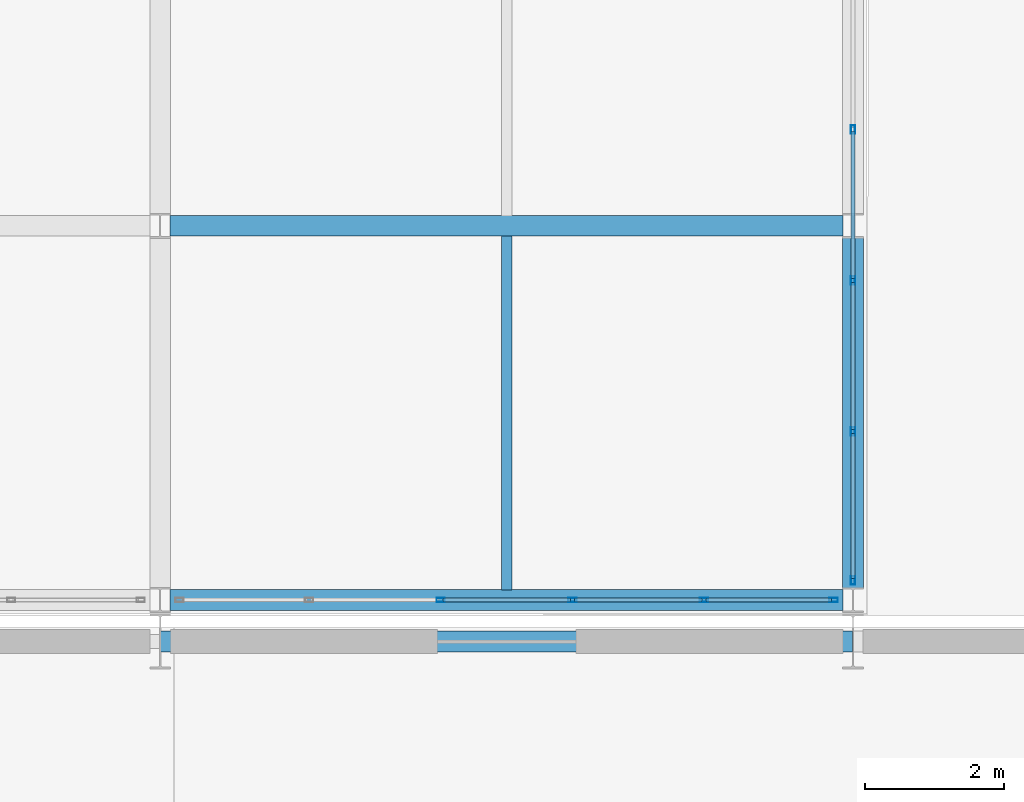
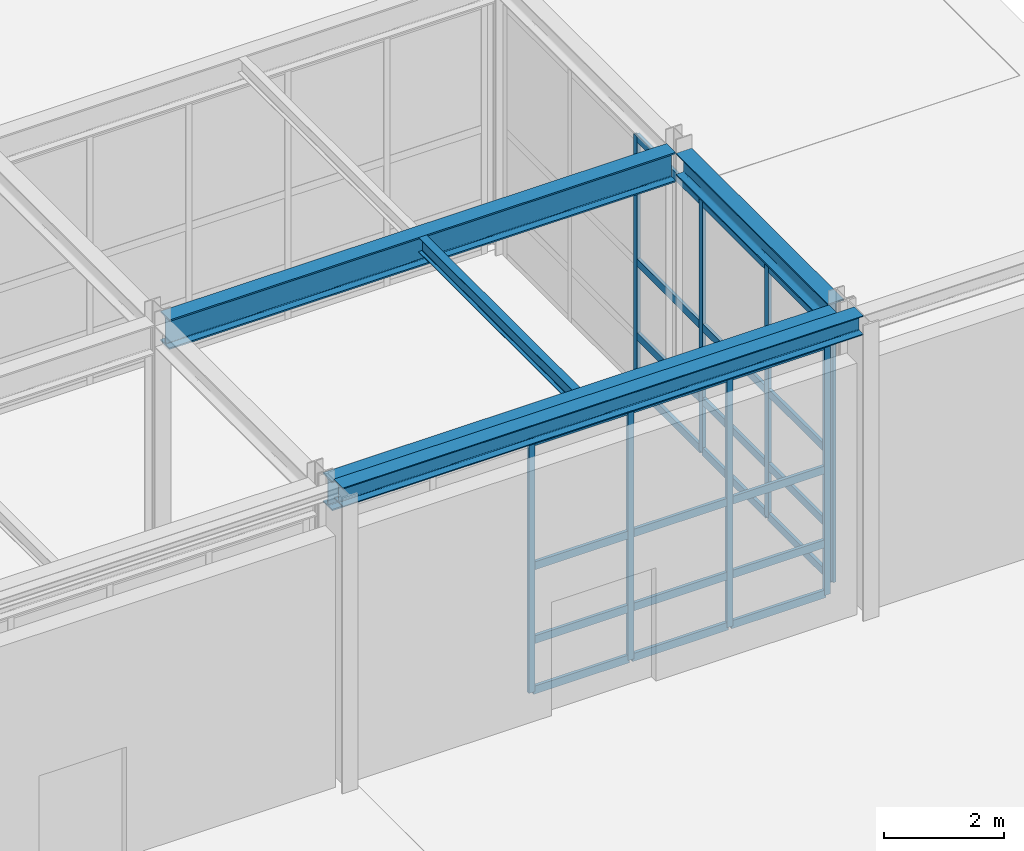
# One storey, part 95 of 146: 32 members, 5 beams, 2 elements without a shape of their own.
"""IFC4 building model written with IfcOpenShell, lengths in metres."""

from ifc_helpers import new_model, si_unit, direction, frame, origin, origin_2d, place, context, subcontext, project, spatial, hollow_rectangle, i_section, extrude, material, material_profile, profile_set, type_object, element, aggregate, save


model = new_model("IFC4")

# Units and contexts
model_context = context("Model", 3, precision=1e-05, world=origin(), true_north=direction((0.0, 1.0)))
body_context = subcontext(model_context, "Body", "Model", "MODEL_VIEW")
ifc_project = project(units=[si_unit("LENGTHUNIT", "METRE"), si_unit("AREAUNIT", "SQUARE_METRE"), si_unit("VOLUMEUNIT", "CUBIC_METRE"), si_unit("PLANEANGLEUNIT", "RADIAN"), si_unit("MASSUNIT", "GRAM", prefix="KILO")], contexts=[model_context])

# Site, building, storey
site_placement = place(None, origin())
site = spatial("IfcSite", under=ifc_project, at=site_placement, CompositionType="ELEMENT")
building_placement = place(site_placement, origin())
building = spatial("IfcBuilding", under=site, at=building_placement, Name="Kaldris Quays Convention Centre", CompositionType="ELEMENT")
storey_placement = place(building_placement, origin())
storey = spatial("IfcBuildingStorey", under=building, at=storey_placement, Name="L00", CompositionType="ELEMENT", Elevation=0.0)

# Curtain wall, members
ifc_material_1 = material(Name="Anodized aluminium AW-6060 and triple glazing", Category="aluminium")
curtain_wall_type = type_object("IfcCurtainWallType", Name="UNITISED CURTAIN WALL CW06", PredefinedType="NOTDEFINED", material=ifc_material_1)
curtain_wall_1_placement = place(storey_placement, origin())
curtain_wall_1 = element("IfcCurtainWall", 1, at=curtain_wall_1_placement, inside=storey, type_object=curtain_wall_type, Name="L00 Unitised Curtain Wall CW06 157", PredefinedType="NOTDEFINED")
ifc_material_2 = material(Name="Anodized aluminium AW-6060", Category="aluminium")
ifc_material_profile_1 = material_profile(ifc_material_2, hollow_rectangle(XDim=0.06005859375, YDim=0.1201171875, WallThickness=0.00390625, at=origin_2d()), Name="RHS 120x60x4")
ifc_profile_set_1 = profile_set([ifc_material_profile_1], Name="Anodized aluminium AW-6060")
member_type_1 = type_object("IfcMemberType", Name="CURTAIN MULLION CWM3", PredefinedType="MULLION", material=ifc_profile_set_1)
member_1_placement = place(storey_placement, frame((188.050048828125, 104.60009765625, 0.0), z_axis=(0.0, 0.0, 1.0), x_axis=(0.0, 1.0, 0.0)))
member_1 = element("IfcMember", 2, at=member_1_placement, type_object=member_type_1, Name="CW06 mullion 3", PredefinedType="MULLION", context=body_context, shape_type="SweptSolid", body=[
    extrude(hollow_rectangle(XDim=0.06005859375, YDim=0.1201171875, WallThickness=0.00390625, at=origin_2d()), origin(), (0.0, 0.0, 1.0), 5.097900390625),
])
member_2_placement = place(storey_placement, frame((189.949951171875, 104.60009765625, 0.0), z_axis=(0.0, 0.0, 1.0), x_axis=(0.0, 1.0, 0.0)))
member_2 = element("IfcMember", 3, at=member_2_placement, type_object=member_type_1, Name="CW06 mullion 4", PredefinedType="MULLION", context=body_context, shape_type="SweptSolid", body=[
    extrude(hollow_rectangle(XDim=0.06005859375, YDim=0.1201171875, WallThickness=0.00390625, at=origin_2d()), origin(), (0.0, 0.0, 1.0), 5.097900390625),
])
member_3_placement = place(storey_placement, frame((191.85009765625, 104.60009765625, 0.0), z_axis=(0.0, 0.0, 1.0), x_axis=(0.0, 1.0, 0.0)))
member_3 = element("IfcMember", 4, at=member_3_placement, type_object=member_type_1, Name="CW06 mullion 5", PredefinedType="MULLION", context=body_context, shape_type="SweptSolid", body=[
    extrude(hollow_rectangle(XDim=0.06005859375, YDim=0.1201171875, WallThickness=0.00390625, at=origin_2d()), origin(), (0.0, 0.0, 1.0), 5.097900390625),
])
member_4_placement = place(storey_placement, frame((193.719970703125, 104.60009765625, 0.0), z_axis=(0.0, 0.0, 1.0), x_axis=(0.0, 1.0, 0.0)))
member_4 = element("IfcMember", 5, at=member_4_placement, type_object=member_type_1, Name="CW06 mullion 6", PredefinedType="MULLION", context=body_context, shape_type="SweptSolid", body=[
    extrude(hollow_rectangle(XDim=0.06005859375, YDim=0.1201171875, WallThickness=0.00390625, at=origin_2d()), origin(), (0.0, 0.0, 1.0), 5.097900390625),
])

curtain_wall_2_placement = place(storey_placement, origin())
curtain_wall_2 = element("IfcCurtainWall", 6, at=curtain_wall_2_placement, inside=storey, type_object=curtain_wall_type, Name="L00 Unitised Curtain Wall CW06 158", PredefinedType="NOTDEFINED")
member_5_placement = place(storey_placement, frame((194.0, 104.8798828125, 0.0), z_axis=(0.0, 0.0, 1.0), x_axis=(-1.0, 0.0, 0.0)))
member_5 = element("IfcMember", 7, at=member_5_placement, type_object=member_type_1, Name="CW06 mullion 1", PredefinedType="MULLION", context=body_context, shape_type="SweptSolid", body=[
    extrude(hollow_rectangle(XDim=0.06005859375, YDim=0.1201171875, WallThickness=0.00390625, at=origin_2d()), origin(), (0.0, 0.0, 1.0), 5.097900390625),
])
member_6_placement = place(storey_placement, frame((194.0, 107.030029296875, 0.0), z_axis=(0.0, 0.0, 1.0), x_axis=(-1.0, 0.0, 0.0)))
member_6 = element("IfcMember", 8, at=member_6_placement, type_object=member_type_1, Name="CW06 mullion 2", PredefinedType="MULLION", context=body_context, shape_type="SweptSolid", body=[
    extrude(hollow_rectangle(XDim=0.06005859375, YDim=0.1201171875, WallThickness=0.00390625, at=origin_2d()), origin(), (0.0, 0.0, 1.0), 5.097900390625),
])
member_7_placement = place(storey_placement, frame((194.0, 109.2099609375, 0.0), z_axis=(0.0, 0.0, 1.0), x_axis=(-1.0, 0.0, 0.0)))
member_7 = element("IfcMember", 9, at=member_7_placement, type_object=member_type_1, Name="CW06 mullion 3", PredefinedType="MULLION", context=body_context, shape_type="SweptSolid", body=[
    extrude(hollow_rectangle(XDim=0.06005859375, YDim=0.1201171875, WallThickness=0.00390625, at=origin_2d()), origin(), (0.0, 0.0, 1.0), 5.097900390625),
])
member_8_placement = place(storey_placement, frame((194.0, 111.389892578125, 0.0), z_axis=(0.0, 0.0, 1.0), x_axis=(-1.0, 0.0, 0.0)))
member_8 = element("IfcMember", 10, at=member_8_placement, type_object=member_type_1, Name="CW06 mullion 4", PredefinedType="MULLION", context=body_context, shape_type="SweptSolid", body=[
    extrude(hollow_rectangle(XDim=0.06005859375, YDim=0.1201171875, WallThickness=0.00390625, at=origin_2d()), origin(), (0.0, 0.0, 1.0), 5.097900390625),
])

# Member
ifc_material_profile_2 = material_profile(ifc_material_2, hollow_rectangle(XDim=0.06005859375, YDim=0.159912109375, WallThickness=0.00390625, at=origin_2d()), Name="RHS 160x60x4")
ifc_profile_set_2 = profile_set([ifc_material_profile_2], Name="Anodized aluminium AW-6060")
member_type_2 = type_object("IfcMemberType", Name="CURTAIN TRANSOM CWT2", PredefinedType="USERDEFINED", material=ifc_profile_set_2)
member_9_placement = place(storey_placement, frame((188.080078125, 104.60009765625, 0.030029296875), z_axis=(1.0, 0.0, 0.0), x_axis=(0.0, 1.0, 0.0)))
member_9 = element("IfcMember", 11, at=member_9_placement, type_object=member_type_2, Name="CW06 transom 3.1", ObjectType="TRANSOM", PredefinedType="USERDEFINED", context=body_context, shape_type="SweptSolid", body=[
    extrude(hollow_rectangle(XDim=0.06005859375, YDim=0.159912109375, WallThickness=0.00390625, at=origin_2d()), origin(), (0.0, 0.0, 1.0), 1.83984375),
])

member_10_placement = place(storey_placement, frame((188.080078125, 104.60009765625, 1.050048828125), z_axis=(1.0, 0.0, 0.0), x_axis=(0.0, 1.0, 0.0)))
member_10 = element("IfcMember", 12, at=member_10_placement, type_object=member_type_2, Name="CW06 transom 3.2", ObjectType="TRANSOM", PredefinedType="USERDEFINED", context=body_context, shape_type="SweptSolid", body=[
    extrude(hollow_rectangle(XDim=0.06005859375, YDim=0.159912109375, WallThickness=0.00390625, at=origin_2d()), origin(), (0.0, 0.0, 1.0), 1.83984375),
])

member_11_placement = place(storey_placement, frame((188.080078125, 104.60009765625, 2.549072265625), z_axis=(1.0, 0.0, 0.0), x_axis=(0.0, 1.0, 0.0)))
member_11 = element("IfcMember", 13, at=member_11_placement, type_object=member_type_2, Name="CW06 transom 3.3", ObjectType="TRANSOM", PredefinedType="USERDEFINED", context=body_context, shape_type="SweptSolid", body=[
    extrude(hollow_rectangle(XDim=0.06005859375, YDim=0.159912109375, WallThickness=0.00390625, at=origin_2d()), origin(), (0.0, 0.0, 1.0), 1.83984375),
])

member_12_placement = place(storey_placement, frame((188.080078125, 104.60009765625, 5.068115234375), z_axis=(1.0, 0.0, 0.0), x_axis=(0.0, 1.0, 0.0)))
member_12 = element("IfcMember", 14, at=member_12_placement, type_object=member_type_2, Name="CW06 transom 3.4", ObjectType="TRANSOM", PredefinedType="USERDEFINED", context=body_context, shape_type="SweptSolid", body=[
    extrude(hollow_rectangle(XDim=0.06005859375, YDim=0.159912109375, WallThickness=0.00390625, at=origin_2d()), origin(), (0.0, 0.0, 1.0), 1.83984375),
])

member_13_placement = place(storey_placement, frame((189.97998046875, 104.60009765625, 0.030029296875), z_axis=(1.0, 0.0, 0.0), x_axis=(0.0, 1.0, 0.0)))
member_13 = element("IfcMember", 15, at=member_13_placement, type_object=member_type_2, Name="CW06 transom 4.1", ObjectType="TRANSOM", PredefinedType="USERDEFINED", context=body_context, shape_type="SweptSolid", body=[
    extrude(hollow_rectangle(XDim=0.06005859375, YDim=0.159912109375, WallThickness=0.00390625, at=origin_2d()), origin(), (0.0, 0.0, 1.0), 1.840087890625),
])

member_14_placement = place(storey_placement, frame((189.97998046875, 104.60009765625, 1.050048828125), z_axis=(1.0, 0.0, 0.0), x_axis=(0.0, 1.0, 0.0)))
member_14 = element("IfcMember", 16, at=member_14_placement, type_object=member_type_2, Name="CW06 transom 4.2", ObjectType="TRANSOM", PredefinedType="USERDEFINED", context=body_context, shape_type="SweptSolid", body=[
    extrude(hollow_rectangle(XDim=0.06005859375, YDim=0.159912109375, WallThickness=0.00390625, at=origin_2d()), origin(), (0.0, 0.0, 1.0), 1.840087890625),
])

member_15_placement = place(storey_placement, frame((189.97998046875, 104.60009765625, 2.549072265625), z_axis=(1.0, 0.0, 0.0), x_axis=(0.0, 1.0, 0.0)))
member_15 = element("IfcMember", 17, at=member_15_placement, type_object=member_type_2, Name="CW06 transom 4.3", ObjectType="TRANSOM", PredefinedType="USERDEFINED", context=body_context, shape_type="SweptSolid", body=[
    extrude(hollow_rectangle(XDim=0.06005859375, YDim=0.159912109375, WallThickness=0.00390625, at=origin_2d()), origin(), (0.0, 0.0, 1.0), 1.840087890625),
])

member_16_placement = place(storey_placement, frame((189.97998046875, 104.60009765625, 5.068115234375), z_axis=(1.0, 0.0, 0.0), x_axis=(0.0, 1.0, 0.0)))
member_16 = element("IfcMember", 18, at=member_16_placement, type_object=member_type_2, Name="CW06 transom 4.4", ObjectType="TRANSOM", PredefinedType="USERDEFINED", context=body_context, shape_type="SweptSolid", body=[
    extrude(hollow_rectangle(XDim=0.06005859375, YDim=0.159912109375, WallThickness=0.00390625, at=origin_2d()), origin(), (0.0, 0.0, 1.0), 1.840087890625),
])

member_17_placement = place(storey_placement, frame((191.8798828125, 104.60009765625, 0.030029296875), z_axis=(1.0, 0.0, 0.0), x_axis=(0.0, 1.0, 0.0)))
member_17 = element("IfcMember", 19, at=member_17_placement, type_object=member_type_2, Name="CW06 transom 5.1", ObjectType="TRANSOM", PredefinedType="USERDEFINED", context=body_context, shape_type="SweptSolid", body=[
    extrude(hollow_rectangle(XDim=0.06005859375, YDim=0.159912109375, WallThickness=0.00390625, at=origin_2d()), origin(), (0.0, 0.0, 1.0), 1.81005859375),
])

member_18_placement = place(storey_placement, frame((191.8798828125, 104.60009765625, 1.050048828125), z_axis=(1.0, 0.0, 0.0), x_axis=(0.0, 1.0, 0.0)))
member_18 = element("IfcMember", 20, at=member_18_placement, type_object=member_type_2, Name="CW06 transom 5.2", ObjectType="TRANSOM", PredefinedType="USERDEFINED", context=body_context, shape_type="SweptSolid", body=[
    extrude(hollow_rectangle(XDim=0.06005859375, YDim=0.159912109375, WallThickness=0.00390625, at=origin_2d()), origin(), (0.0, 0.0, 1.0), 1.81005859375),
])

member_19_placement = place(storey_placement, frame((191.8798828125, 104.60009765625, 2.549072265625), z_axis=(1.0, 0.0, 0.0), x_axis=(0.0, 1.0, 0.0)))
member_19 = element("IfcMember", 21, at=member_19_placement, type_object=member_type_2, Name="CW06 transom 5.3", ObjectType="TRANSOM", PredefinedType="USERDEFINED", context=body_context, shape_type="SweptSolid", body=[
    extrude(hollow_rectangle(XDim=0.06005859375, YDim=0.159912109375, WallThickness=0.00390625, at=origin_2d()), origin(), (0.0, 0.0, 1.0), 1.81005859375),
])

member_20_placement = place(storey_placement, frame((191.8798828125, 104.60009765625, 5.068115234375), z_axis=(1.0, 0.0, 0.0), x_axis=(0.0, 1.0, 0.0)))
member_20 = element("IfcMember", 22, at=member_20_placement, type_object=member_type_2, Name="CW06 transom 5.4", ObjectType="TRANSOM", PredefinedType="USERDEFINED", context=body_context, shape_type="SweptSolid", body=[
    extrude(hollow_rectangle(XDim=0.06005859375, YDim=0.159912109375, WallThickness=0.00390625, at=origin_2d()), origin(), (0.0, 0.0, 1.0), 1.81005859375),
])

aggregate(curtain_wall_1, [member_1, member_2, member_3, member_4, member_9, member_10, member_11, member_12, member_13, member_14, member_15, member_16, member_17, member_18, member_19, member_20])

member_21_placement = place(storey_placement, frame((194.0, 104.909912109375, 0.030029296875), z_axis=(0.0, 1.0, 0.0), x_axis=(-1.0, 0.0, 0.0)))
member_21 = element("IfcMember", 23, at=member_21_placement, type_object=member_type_2, Name="CW06 transom 1.1", ObjectType="TRANSOM", PredefinedType="USERDEFINED", context=body_context, shape_type="SweptSolid", body=[
    extrude(hollow_rectangle(XDim=0.06005859375, YDim=0.159912109375, WallThickness=0.00390625, at=origin_2d()), origin(), (0.0, 0.0, 1.0), 2.090087890625),
])

member_22_placement = place(storey_placement, frame((194.0, 104.909912109375, 1.050048828125), z_axis=(0.0, 1.0, 0.0), x_axis=(-1.0, 0.0, 0.0)))
member_22 = element("IfcMember", 24, at=member_22_placement, type_object=member_type_2, Name="CW06 transom 1.2", ObjectType="TRANSOM", PredefinedType="USERDEFINED", context=body_context, shape_type="SweptSolid", body=[
    extrude(hollow_rectangle(XDim=0.06005859375, YDim=0.159912109375, WallThickness=0.00390625, at=origin_2d()), origin(), (0.0, 0.0, 1.0), 2.090087890625),
])

member_23_placement = place(storey_placement, frame((194.0, 104.909912109375, 2.549072265625), z_axis=(0.0, 1.0, 0.0), x_axis=(-1.0, 0.0, 0.0)))
member_23 = element("IfcMember", 25, at=member_23_placement, type_object=member_type_2, Name="CW06 transom 1.3", ObjectType="TRANSOM", PredefinedType="USERDEFINED", context=body_context, shape_type="SweptSolid", body=[
    extrude(hollow_rectangle(XDim=0.06005859375, YDim=0.159912109375, WallThickness=0.00390625, at=origin_2d()), origin(), (0.0, 0.0, 1.0), 2.090087890625),
])

member_24_placement = place(storey_placement, frame((194.0, 104.909912109375, 5.068115234375), z_axis=(0.0, 1.0, 0.0), x_axis=(-1.0, 0.0, 0.0)))
member_24 = element("IfcMember", 26, at=member_24_placement, type_object=member_type_2, Name="CW06 transom 1.4", ObjectType="TRANSOM", PredefinedType="USERDEFINED", context=body_context, shape_type="SweptSolid", body=[
    extrude(hollow_rectangle(XDim=0.06005859375, YDim=0.159912109375, WallThickness=0.00390625, at=origin_2d()), origin(), (0.0, 0.0, 1.0), 2.090087890625),
])

member_25_placement = place(storey_placement, frame((194.0, 107.06005859375, 0.030029296875), z_axis=(0.0, 1.0, 0.0), x_axis=(-1.0, 0.0, 0.0)))
member_25 = element("IfcMember", 27, at=member_25_placement, type_object=member_type_2, Name="CW06 transom 2.1", ObjectType="TRANSOM", PredefinedType="USERDEFINED", context=body_context, shape_type="SweptSolid", body=[
    extrude(hollow_rectangle(XDim=0.06005859375, YDim=0.159912109375, WallThickness=0.00390625, at=origin_2d()), origin(), (0.0, 0.0, 1.0), 2.119873046875),
])

member_26_placement = place(storey_placement, frame((194.0, 107.06005859375, 1.050048828125), z_axis=(0.0, 1.0, 0.0), x_axis=(-1.0, 0.0, 0.0)))
member_26 = element("IfcMember", 28, at=member_26_placement, type_object=member_type_2, Name="CW06 transom 2.2", ObjectType="TRANSOM", PredefinedType="USERDEFINED", context=body_context, shape_type="SweptSolid", body=[
    extrude(hollow_rectangle(XDim=0.06005859375, YDim=0.159912109375, WallThickness=0.00390625, at=origin_2d()), origin(), (0.0, 0.0, 1.0), 2.119873046875),
])

member_27_placement = place(storey_placement, frame((194.0, 107.06005859375, 2.549072265625), z_axis=(0.0, 1.0, 0.0), x_axis=(-1.0, 0.0, 0.0)))
member_27 = element("IfcMember", 29, at=member_27_placement, type_object=member_type_2, Name="CW06 transom 2.3", ObjectType="TRANSOM", PredefinedType="USERDEFINED", context=body_context, shape_type="SweptSolid", body=[
    extrude(hollow_rectangle(XDim=0.06005859375, YDim=0.159912109375, WallThickness=0.00390625, at=origin_2d()), origin(), (0.0, 0.0, 1.0), 2.119873046875),
])

member_28_placement = place(storey_placement, frame((194.0, 107.06005859375, 5.068115234375), z_axis=(0.0, 1.0, 0.0), x_axis=(-1.0, 0.0, 0.0)))
member_28 = element("IfcMember", 30, at=member_28_placement, type_object=member_type_2, Name="CW06 transom 2.4", ObjectType="TRANSOM", PredefinedType="USERDEFINED", context=body_context, shape_type="SweptSolid", body=[
    extrude(hollow_rectangle(XDim=0.06005859375, YDim=0.159912109375, WallThickness=0.00390625, at=origin_2d()), origin(), (0.0, 0.0, 1.0), 2.119873046875),
])

member_29_placement = place(storey_placement, frame((194.0, 109.239990234375, 0.030029296875), z_axis=(0.0, 1.0, 0.0), x_axis=(-1.0, 0.0, 0.0)))
member_29 = element("IfcMember", 31, at=member_29_placement, type_object=member_type_2, Name="CW06 transom 3.1", ObjectType="TRANSOM", PredefinedType="USERDEFINED", context=body_context, shape_type="SweptSolid", body=[
    extrude(hollow_rectangle(XDim=0.06005859375, YDim=0.159912109375, WallThickness=0.00390625, at=origin_2d()), origin(), (0.0, 0.0, 1.0), 2.1201171875),
])

member_30_placement = place(storey_placement, frame((194.0, 109.239990234375, 1.050048828125), z_axis=(0.0, 1.0, 0.0), x_axis=(-1.0, 0.0, 0.0)))
member_30 = element("IfcMember", 32, at=member_30_placement, type_object=member_type_2, Name="CW06 transom 3.2", ObjectType="TRANSOM", PredefinedType="USERDEFINED", context=body_context, shape_type="SweptSolid", body=[
    extrude(hollow_rectangle(XDim=0.06005859375, YDim=0.159912109375, WallThickness=0.00390625, at=origin_2d()), origin(), (0.0, 0.0, 1.0), 2.1201171875),
])

member_31_placement = place(storey_placement, frame((194.0, 109.239990234375, 2.549072265625), z_axis=(0.0, 1.0, 0.0), x_axis=(-1.0, 0.0, 0.0)))
member_31 = element("IfcMember", 33, at=member_31_placement, type_object=member_type_2, Name="CW06 transom 3.3", ObjectType="TRANSOM", PredefinedType="USERDEFINED", context=body_context, shape_type="SweptSolid", body=[
    extrude(hollow_rectangle(XDim=0.06005859375, YDim=0.159912109375, WallThickness=0.00390625, at=origin_2d()), origin(), (0.0, 0.0, 1.0), 2.1201171875),
])

member_32_placement = place(storey_placement, frame((194.0, 109.239990234375, 5.068115234375), z_axis=(0.0, 1.0, 0.0), x_axis=(-1.0, 0.0, 0.0)))
member_32 = element("IfcMember", 34, at=member_32_placement, type_object=member_type_2, Name="CW06 transom 3.4", ObjectType="TRANSOM", PredefinedType="USERDEFINED", context=body_context, shape_type="SweptSolid", body=[
    extrude(hollow_rectangle(XDim=0.06005859375, YDim=0.159912109375, WallThickness=0.00390625, at=origin_2d()), origin(), (0.0, 0.0, 1.0), 2.1201171875),
])

aggregate(curtain_wall_2, [member_5, member_6, member_7, member_8, member_21, member_22, member_23, member_24, member_25, member_26, member_27, member_28, member_29, member_30, member_31, member_32])

# Beams
ifc_material_3 = material(Name="Steel S355J2", Category="steel")
ifc_material_profile_3 = material_profile(ifc_material_3, i_section(OverallWidth=0.300048828125, OverallDepth=0.60009765625, WebThickness=0.015380859375, FlangeThickness=0.030029296875, FilletRadius=0.027099609375, at=origin_2d()), Name="HEB 600")
ifc_profile_set_3 = profile_set([ifc_material_profile_3], Name="Steel S355J2")
beam_type_1 = type_object("IfcBeamType", Name="STRUCTURAL BEAM BM05", PredefinedType="BEAM", material=ifc_profile_set_3)
for number, where, z_axis, x_axis, name in (
    (35, (184.14404296875, 104.60009765625, 5.423095703125), (1.0, 0.0, 0.0), (0.0, 1.0, 0.0), "L00 Girder BM05 45"),
    (36, (184.14404296875, 110.0, 5.423095703125), (1.0, 0.0, 0.0), (0.0, 1.0, 0.0), "L00 Girder BM05 50"),
):
    element("IfcBeam", number, at=place(storey_placement, frame(where, z_axis=z_axis, x_axis=x_axis)), inside=storey, type_object=beam_type_1, Name=name, PredefinedType="BEAM", context=body_context, shape_type="SweptSolid", body=[
        extrude(i_section(OverallWidth=0.300048828125, OverallDepth=0.60009765625, WebThickness=0.015380859375, FlangeThickness=0.030029296875, FilletRadius=0.027099609375, at=origin_2d()), origin(), (0.0, 0.0, 1.0), 9.7119140625),
    ])
ifc_material_profile_4 = material_profile(ifc_material_3, i_section(OverallWidth=0.300048828125, OverallDepth=0.449951171875, WebThickness=0.013916015625, FlangeThickness=0.02587890625, FilletRadius=0.027099609375, at=origin_2d()), Name="HEB 450")
ifc_profile_set_4 = profile_set([ifc_material_profile_4], Name="Steel S355J2")
beam_type_2 = type_object("IfcBeamType", Name="STRUCTURAL BEAM BM07", PredefinedType="BEAM", material=ifc_profile_set_4)
beam_1_placement = place(storey_placement, frame((194.0, 104.77392578125, 5.498046875), z_axis=(0.0, 1.0, 0.0), x_axis=(-1.0, 0.0, 0.0)))
element("IfcBeam", 37, at=beam_1_placement, inside=storey, type_object=beam_type_2, Name="L00 Girder BM07 108", PredefinedType="BEAM", context=body_context, shape_type="SweptSolid", body=[
    extrude(i_section(OverallWidth=0.300048828125, OverallDepth=0.449951171875, WebThickness=0.013916015625, FlangeThickness=0.02587890625, FilletRadius=0.027099609375, at=origin_2d()), origin(), (0.0, 0.0, 1.0), 5.052001953125),
])
ifc_material_profile_5 = material_profile(ifc_material_3, i_section(OverallWidth=0.14990234375, OverallDepth=0.300048828125, WebThickness=0.007080078125, FlangeThickness=0.0107421875, FilletRadius=0.014892578125, at=origin_2d()), Name="IPE 300")
ifc_profile_set_5 = profile_set([ifc_material_profile_5], Name="Steel S355J2")
beam_type_3 = type_object("IfcBeamType", Name="STRUCTURAL BEAM JT04", PredefinedType="JOIST", material=ifc_profile_set_5)
beam_2_placement = place(storey_placement, frame((189.0, 104.743896484375, 5.572998046875), z_axis=(0.0, 1.0, 0.0), x_axis=(-1.0, 0.0, 0.0)))
element("IfcBeam", 38, at=beam_2_placement, inside=storey, type_object=beam_type_3, Name="L00 Secondary Joist JT04 30", PredefinedType="JOIST", context=body_context, shape_type="SweptSolid", body=[
    extrude(i_section(OverallWidth=0.14990234375, OverallDepth=0.300048828125, WebThickness=0.007080078125, FlangeThickness=0.0107421875, FilletRadius=0.014892578125, at=origin_2d()), origin(), (0.0, 0.0, 1.0), 5.112060546875),
])
ifc_material_profile_6 = material_profile(ifc_material_3, i_section(OverallWidth=0.300048828125, OverallDepth=0.389892578125, WebThickness=0.010986328125, FlangeThickness=0.01904296875, FilletRadius=0.027099609375, at=origin_2d()), Name="HEA 400")
ifc_profile_set_6 = profile_set([ifc_material_profile_6], Name="Steel S355J2")
beam_type_4 = type_object("IfcBeamType", Name="STRUCTURAL BEAM SP01", PredefinedType="SPANDREL", material=ifc_profile_set_6)
beam_3_placement = place(storey_placement, frame((184.006103515625, 104.0, 5.804931640625), z_axis=(1.0, 0.0, 0.0), x_axis=(0.0, 1.0, 0.0)))
element("IfcBeam", 39, at=beam_3_placement, inside=storey, type_object=beam_type_4, Name="L00 Perimeter Wall-Bearing Spandrel SP01 25", PredefinedType="SPANDREL", context=body_context, shape_type="SweptSolid", body=[
    extrude(i_section(OverallWidth=0.300048828125, OverallDepth=0.389892578125, WebThickness=0.010986328125, FlangeThickness=0.01904296875, FilletRadius=0.027099609375, at=origin_2d()), origin(), (0.0, 0.0, 1.0), 9.98779296875),
])

save(model, "model.ifc")
